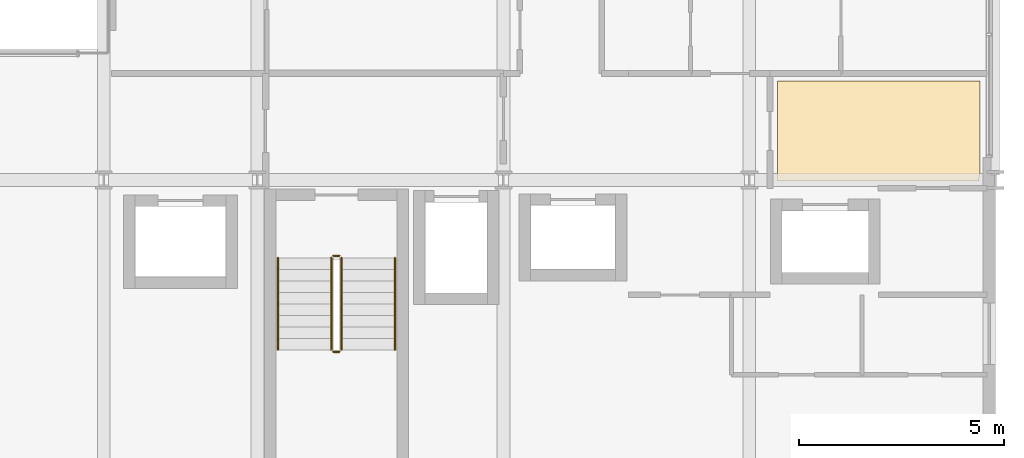
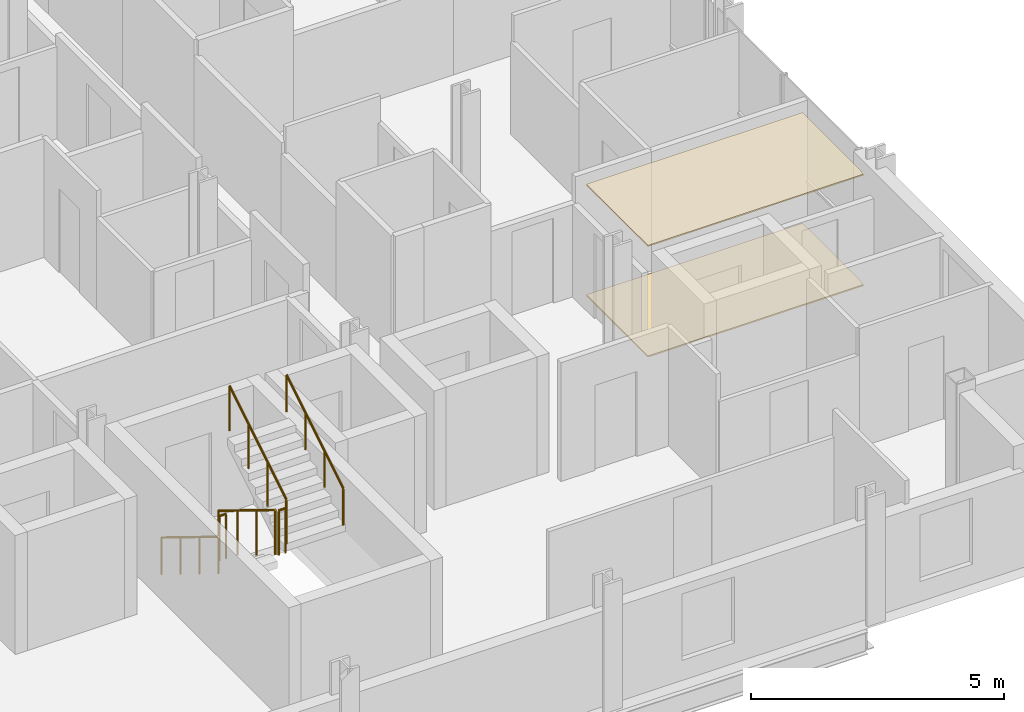
# One storey, part 40 of 41: 6 railings, 2 coverings.
"""IFC4 building model written with IfcOpenShell, lengths in metres."""

from ifc_helpers import new_model, si_unit, direction, frame, origin, origin_2d, place, context, subcontext, project, spatial, polyline, circle, outline, extrude, material, layer, layer_set, type_object, element, save


model = new_model("IFC4")

# Units and contexts
model_context = context("Model", 3, precision=1e-05, world=origin(), true_north=direction((0.0, 1.0)))
body_context = subcontext(model_context, "Body", "Model", "MODEL_VIEW")
ifc_project = project(units=[si_unit("LENGTHUNIT", "METRE"), si_unit("AREAUNIT", "SQUARE_METRE"), si_unit("VOLUMEUNIT", "CUBIC_METRE"), si_unit("PLANEANGLEUNIT", "RADIAN"), si_unit("MASSUNIT", "GRAM", prefix="KILO")], contexts=[model_context])

# Site, building, storey
site_placement = place(None, origin())
site = spatial("IfcSite", under=ifc_project, at=site_placement, CompositionType="ELEMENT")
building_placement = place(site_placement, origin())
building = spatial("IfcBuilding", under=site, at=building_placement, Name="Brevholm Reach", CompositionType="ELEMENT")
storey_placement = place(building_placement, frame((0.0, 0.0, 86.89990234375)))
storey = spatial("IfcBuildingStorey", under=building, at=storey_placement, Name="L25", CompositionType="ELEMENT", Elevation=86.89990234375)

# Coverings
ifc_material_1 = material(Name="Moisture-Resistant Skimmed Gypsum Plasterboard Ceiling", Category="gypsum")
ifc_layer_1 = layer(ifc_material_1, 0.030029296875)
ifc_layer_set_1 = layer_set([ifc_layer_1], Name="Moisture-Resistant Skimmed Gypsum Plasterboard Ceiling")
covering_type_1 = type_object("IfcCoveringType", Name="COV-CLG-GYP", PredefinedType="CEILING", material=ifc_layer_set_1)
covering_1_placement = place(storey_placement, frame((0.0, 0.0, 2.670166015625)))
element("IfcCovering", 1, at=covering_1_placement, inside=storey, type_object=covering_type_1, Name="L25 Suspended Ceiling L25-31", PredefinedType="CEILING", context=body_context, shape_type="SweptSolid", body=[
    extrude(outline(polyline([(59.6201171875, 12.419921875), (59.6201171875, 10.123779296875), (59.6171875, 10.1162109375), (59.607666015625, 10.077880859375), (59.601806640625, 10.039306640625), (59.60009765625, 10.0), (59.60107421875, 9.97998046875), (54.68408203125, 9.97998046875), (54.68408203125, 12.419921875), (59.6201171875, 12.419921875)])), origin(), (0.0, 0.0, 1.0), 0.030029296875),
])
ifc_material_2 = material(Name="Honed Portland-Aggregate Resin Terrazzo Flooring", Category="concrete")
ifc_layer_2 = layer(ifc_material_2, 0.031982421875)
ifc_layer_set_2 = layer_set([ifc_layer_2], Name="Honed Portland-Aggregate Resin Terrazzo Flooring")
covering_type_2 = type_object("IfcCoveringType", Name="COV-FLR-TRZ", PredefinedType="FLOORING", material=ifc_layer_set_2)
covering_2_placement = place(storey_placement, origin())
element("IfcCovering", 2, at=covering_2_placement, inside=storey, type_object=covering_type_2, Name="L25 Floor Finish L25-31", PredefinedType="FLOORING", context=body_context, shape_type="SweptSolid", body=[
    extrude(outline(polyline([(59.6201171875, 12.419921875), (59.6201171875, 10.123779296875), (59.6171875, 10.1162109375), (59.607666015625, 10.077880859375), (59.601806640625, 10.039306640625), (59.60009765625, 10.0), (59.60107421875, 9.97998046875), (54.68408203125, 9.97998046875), (54.68408203125, 12.419921875), (59.6201171875, 12.419921875)])), origin(), (0.0, 0.0, 1.0), 0.031982421875),
])

# Railings
ifc_material_3 = material(Name="Brushed Stainless Steel EN 1.4401 Continuous Handrail", Category="steel")
railing_type_1 = type_object("IfcRailingType", Name="RAL-HND-950", PredefinedType="HANDRAIL", material=ifc_material_3)
railing_1_placement = place(storey_placement, frame((42.5, 8.10009765625, 0.17236328125)))
element("IfcRailing", 3, at=railing_1_placement, inside=storey, type_object=railing_type_1, Name="L25 ST-2 stair handrail 1", PredefinedType="HANDRAIL", context=body_context, shape_type="SweptSolid", body=[
    extrude(circle(Radius=0.02392578125, at=origin_2d()), frame((0.0, 0.0, 0.8857421875), z_axis=(0.0, -0.85178898068, 0.523885037382), x_axis=(1.0, 0.0, 0.0)), (0.0, 0.0, 1.0), 2.629638671875),
    extrude(circle(Radius=0.02099609375, at=origin_2d()), origin(), (0.0, 0.0, 1.0), 0.86181640625),
    extrude(circle(Radius=0.02099609375, at=origin_2d()), frame((0.0, -0.74658203125, 0.459228515625)), (0.0, 0.0, 1.0), 0.86181640625),
    extrude(circle(Radius=0.02099609375, at=origin_2d()), frame((0.0, -1.493408203125, 0.91845703125)), (0.0, 0.0, 1.0), 0.86181640625),
    extrude(circle(Radius=0.02099609375, at=origin_2d()), frame((0.0, -2.239990234375, 1.377685546875)), (0.0, 0.0, 1.0), 0.86181640625),
])
railing_2_placement = place(storey_placement, frame((45.35009765625, 5.860107421875, 1.722412109375)))
element("IfcRailing", 4, at=railing_2_placement, inside=storey, type_object=railing_type_1, Name="L25 ST-2 stair handrail 2", PredefinedType="HANDRAIL", context=body_context, shape_type="SweptSolid", body=[
    extrude(circle(Radius=0.02392578125, at=origin_2d()), frame((0.0, 0.0, 0.8857421875), z_axis=(0.0, 0.85178898068, 0.523885037382), x_axis=(-1.0, 0.0, 0.0)), (0.0, 0.0, 1.0), 2.629638671875),
    extrude(circle(Radius=0.02099609375, at=origin_2d()), origin(), (0.0, 0.0, 1.0), 0.86181640625),
    extrude(circle(Radius=0.02099609375, at=origin_2d()), frame((0.0, 0.74658203125, 0.459228515625)), (0.0, 0.0, 1.0), 0.86181640625),
    extrude(circle(Radius=0.02099609375, at=origin_2d()), frame((0.0, 1.493408203125, 0.91845703125)), (0.0, 0.0, 1.0), 0.86181640625),
    extrude(circle(Radius=0.02099609375, at=origin_2d()), frame((0.0, 2.239990234375, 1.377685546875)), (0.0, 0.0, 1.0), 0.86181640625),
])
ifc_material_4 = material(Name="Painted Tubular Galvanised Steel S275JR Stair Guard", Category="steel")
railing_type_2 = type_object("IfcRailingType", Name="RAL-STG-1120", PredefinedType="BALUSTRADE", material=ifc_material_4)
railing_3_placement = place(storey_placement, frame((43.800048828125, 8.10009765625, 0.17236328125)))
element("IfcRailing", 5, at=railing_3_placement, inside=storey, type_object=railing_type_2, Name="L25 ST-2 stair guard 1", PredefinedType="BALUSTRADE", context=body_context, shape_type="SweptSolid", body=[
    extrude(circle(Radius=0.02392578125, at=origin_2d()), frame((0.0, 0.0, 1.076171875), z_axis=(0.0, -0.85178898068, 0.523885037382), x_axis=(1.0, 0.0, 0.0)), (0.0, 0.0, 1.0), 2.629638671875),
    extrude(circle(Radius=0.02099609375, at=origin_2d()), origin(), (0.0, 0.0, 1.0), 1.052001953125),
    extrude(circle(Radius=0.02099609375, at=origin_2d()), frame((0.0, -0.74658203125, 0.459228515625)), (0.0, 0.0, 1.0), 1.052001953125),
    extrude(circle(Radius=0.02099609375, at=origin_2d()), frame((0.0, -1.493408203125, 0.91845703125)), (0.0, 0.0, 1.0), 1.052001953125),
    extrude(circle(Radius=0.02099609375, at=origin_2d()), frame((0.0, -2.239990234375, 1.377685546875)), (0.0, 0.0, 1.0), 1.052001953125),
])
railing_4_placement = place(storey_placement, frame((43.85009765625, 5.81005859375, 1.550048828125)))
element("IfcRailing", 6, at=railing_4_placement, inside=storey, type_object=railing_type_2, Name="L25 ST-2 stair guard 2", PredefinedType="BALUSTRADE", context=body_context, shape_type="SweptSolid", body=[
    extrude(circle(Radius=0.02392578125, at=origin_2d()), frame((0.0, 0.0, 1.076171875), z_axis=(1.0, 0.0, 0.0), x_axis=(0.0, 1.0, 0.0)), (0.0, 0.0, 1.0), 0.14990234375),
    extrude(circle(Radius=0.02099609375, at=origin_2d()), origin(), (0.0, 0.0, 1.0), 1.052001953125),
    extrude(circle(Radius=0.02099609375, at=origin_2d()), frame((0.14990234375, 0.0, 0.0)), (0.0, 0.0, 1.0), 1.052001953125),
])
railing_5_placement = place(storey_placement, frame((44.050048828125, 5.860107421875, 1.722412109375)))
element("IfcRailing", 7, at=railing_5_placement, inside=storey, type_object=railing_type_2, Name="L25 ST-2 stair guard 3", PredefinedType="BALUSTRADE", context=body_context, shape_type="SweptSolid", body=[
    extrude(circle(Radius=0.02392578125, at=origin_2d()), frame((0.0, 0.0, 1.076171875), z_axis=(0.0, 0.85178898068, 0.523885037382), x_axis=(-1.0, 0.0, 0.0)), (0.0, 0.0, 1.0), 2.629638671875),
    extrude(circle(Radius=0.02099609375, at=origin_2d()), origin(), (0.0, 0.0, 1.0), 1.052001953125),
    extrude(circle(Radius=0.02099609375, at=origin_2d()), frame((0.0, 0.74658203125, 0.459228515625)), (0.0, 0.0, 1.0), 1.052001953125),
    extrude(circle(Radius=0.02099609375, at=origin_2d()), frame((0.0, 1.493408203125, 0.91845703125)), (0.0, 0.0, 1.0), 1.052001953125),
    extrude(circle(Radius=0.02099609375, at=origin_2d()), frame((0.0, 2.239990234375, 1.377685546875)), (0.0, 0.0, 1.0), 1.052001953125),
])
railing_6_placement = place(storey_placement, frame((43.85009765625, 8.14990234375, 0.0)))
element("IfcRailing", 8, at=railing_6_placement, inside=storey, type_object=railing_type_2, Name="L25 ST-2 stair guard 4", PredefinedType="BALUSTRADE", context=body_context, shape_type="SweptSolid", body=[
    extrude(circle(Radius=0.02392578125, at=origin_2d()), frame((0.0, 0.0, 1.076171875), z_axis=(1.0, 0.0, 0.0), x_axis=(0.0, 1.0, 0.0)), (0.0, 0.0, 1.0), 0.14990234375),
    extrude(circle(Radius=0.02099609375, at=origin_2d()), origin(), (0.0, 0.0, 1.0), 1.052001953125),
    extrude(circle(Radius=0.02099609375, at=origin_2d()), frame((0.14990234375, 0.0, 0.0)), (0.0, 0.0, 1.0), 1.052001953125),
])

save(model, "model.ifc")
